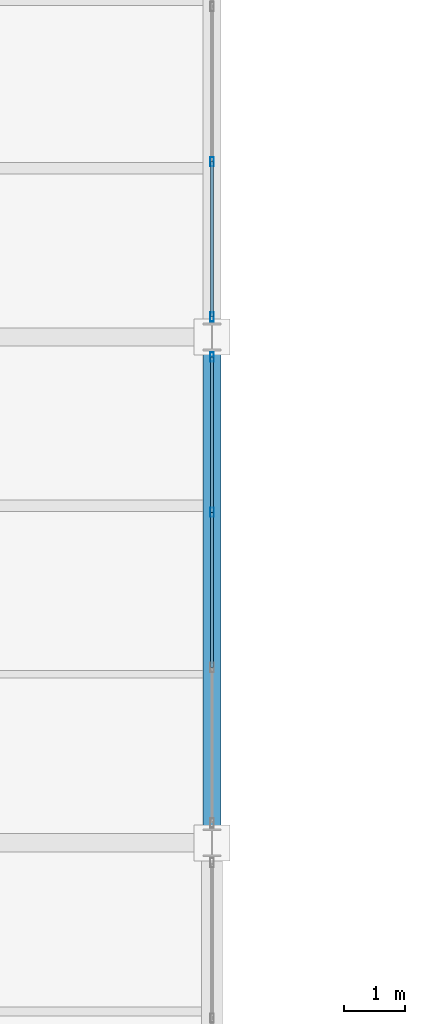
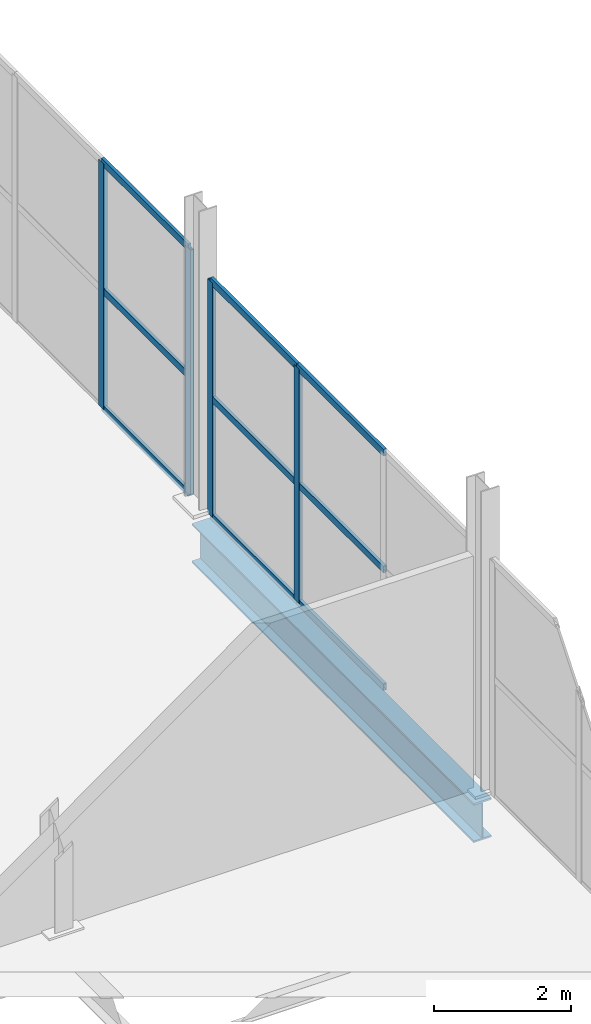
# One storey, part 83 of 147: 13 members, 1 beam, 2 elements without a shape of their own.
"""IFC4 building model written with IfcOpenShell, lengths in metres."""

from ifc_helpers import new_model, si_unit, direction, frame, origin, origin_2d, place, context, subcontext, project, spatial, hollow_rectangle, i_section, extrude, material, layer, layer_set, material_profile, profile_set, type_object, element, aggregate, save


model = new_model("IFC4")

# Units and contexts
model_context = context("Model", 3, precision=1e-05, world=origin(), true_north=direction((0.0, 1.0)))
body_context = subcontext(model_context, "Body", "Model", "MODEL_VIEW")
ifc_project = project(units=[si_unit("LENGTHUNIT", "METRE"), si_unit("AREAUNIT", "SQUARE_METRE"), si_unit("VOLUMEUNIT", "CUBIC_METRE"), si_unit("PLANEANGLEUNIT", "RADIAN"), si_unit("MASSUNIT", "GRAM", prefix="KILO")], contexts=[model_context])

# Site, building, storey
site_placement = place(None, origin())
site = spatial("IfcSite", under=ifc_project, at=site_placement, CompositionType="ELEMENT")
building_placement = place(site_placement, origin())
building = spatial("IfcBuilding", under=site, at=building_placement, Name="Sundgate Opera House", CompositionType="ELEMENT")
storey_placement = place(building_placement, frame((0.0, 0.0, 6.0)))
storey = spatial("IfcBuildingStorey", under=building, at=storey_placement, Name="L01", CompositionType="ELEMENT", Elevation=6.0)

# Beam
ifc_material_1 = material(Name="Steel S355J2", Category="steel")
ifc_material_profile_1 = material_profile(ifc_material_1, i_section(OverallWidth=0.300048828125, OverallDepth=0.699951171875, WebThickness=0.01708984375, FlangeThickness=0.031982421875, at=origin_2d()), Name="HEB 700")
ifc_profile_set_1 = profile_set([ifc_material_profile_1], Name="Steel S355J2")
beam_type = type_object("IfcBeamType", Name="BM-GR-HEB700", PredefinedType="BEAM", material=ifc_profile_set_1)
beam_placement = place(storey_placement, frame((160.199951171875, 8.25, -0.64990234375), z_axis=(0.0, 1.0, 0.0), x_axis=(-1.0, 0.0, 0.0)))
element("IfcBeam", 1, at=beam_placement, inside=storey, type_object=beam_type, Name="L01 Primary N-S Girder B1248", PredefinedType="BEAM", context=body_context, shape_type="SweptSolid", body=[
    extrude(i_section(OverallWidth=0.300048828125, OverallDepth=0.699951171875, WebThickness=0.01708984375, FlangeThickness=0.031982421875, at=origin_2d()), origin(), (0.0, 0.0, 1.0), 8.25),
])

# Curtain wall, members
ifc_material_2 = material(Name="Anodized aluminium and low-iron glass", Category="aluminium")
ifc_layer = layer(ifc_material_2, 0.14990234375)
ifc_layer_set = layer_set([ifc_layer], Name="Anodized aluminium and low-iron glass")
curtain_wall_type = type_object("IfcCurtainWallType", Name="CW-WORKSHOP-DARK", PredefinedType="NOTDEFINED", material=ifc_layer_set)
curtain_wall_1_placement = place(storey_placement, origin())
curtain_wall_1 = element("IfcCurtainWall", 2, at=curtain_wall_1_placement, inside=storey, type_object=curtain_wall_type, Name="L01 Curtain Wall CW149", PredefinedType="NOTDEFINED")
ifc_material_3 = material(Name="Anodized aluminium EN AW-6063", Category="aluminium")
ifc_material_profile_2 = material_profile(ifc_material_3, hollow_rectangle(XDim=0.06005859375, YDim=0.14990234375, WallThickness=0.00390625, at=origin_2d()), Name="CWM 150x60x4")
ifc_profile_set_2 = profile_set([ifc_material_profile_2], Name="Anodized aluminium EN AW-6063")
member_type_1 = type_object("IfcMemberType", Name="CWM-ALU-150x60", PredefinedType="MULLION", material=ifc_profile_set_2)
member_1_placement = place(storey_placement, frame((160.199951171875, 13.6416015625, 0.0), z_axis=(0.0, 0.0, 1.0), x_axis=(1.0, 0.0, 0.0)))
member_1 = element("IfcMember", 3, at=member_1_placement, type_object=member_type_1, Name="CW149 Mullion 3", PredefinedType="MULLION", context=body_context, shape_type="SweptSolid", body=[
    extrude(hollow_rectangle(XDim=0.06005859375, YDim=0.14990234375, WallThickness=0.00390625, at=origin_2d()), origin(), (0.0, 0.0, 1.0), 4.18505859375),
])
member_2_placement = place(storey_placement, frame((160.199951171875, 16.175048828125, 0.0), z_axis=(0.0, 0.0, 1.0), x_axis=(1.0, 0.0, 0.0)))
member_2 = element("IfcMember", 4, at=member_2_placement, type_object=member_type_1, Name="CW149 Mullion 4", PredefinedType="MULLION", context=body_context, shape_type="SweptSolid", body=[
    extrude(hollow_rectangle(XDim=0.06005859375, YDim=0.14990234375, WallThickness=0.00390625, at=origin_2d()), origin(), (0.0, 0.0, 1.0), 4.18505859375),
])

curtain_wall_2_placement = place(storey_placement, origin())
curtain_wall_2 = element("IfcCurtainWall", 5, at=curtain_wall_2_placement, inside=storey, type_object=curtain_wall_type, Name="L01 Curtain Wall CW150", PredefinedType="NOTDEFINED")
member_3_placement = place(storey_placement, frame((160.199951171875, 16.824951171875, 0.0), z_axis=(0.0, 0.0, 1.0), x_axis=(1.0, 0.0, 0.0)))
member_3 = element("IfcMember", 6, at=member_3_placement, type_object=member_type_1, Name="CW150 Mullion 1", PredefinedType="MULLION", context=body_context, shape_type="SweptSolid", body=[
    extrude(hollow_rectangle(XDim=0.06005859375, YDim=0.14990234375, WallThickness=0.00390625, at=origin_2d()), origin(), (0.0, 0.0, 1.0), 4.385009765625),
])
member_4_placement = place(storey_placement, frame((160.199951171875, 19.3583984375, 0.0), z_axis=(0.0, 0.0, 1.0), x_axis=(1.0, 0.0, 0.0)))
member_4 = element("IfcMember", 7, at=member_4_placement, type_object=member_type_1, Name="CW150 Mullion 2", PredefinedType="MULLION", context=body_context, shape_type="SweptSolid", body=[
    extrude(hollow_rectangle(XDim=0.06005859375, YDim=0.14990234375, WallThickness=0.00390625, at=origin_2d()), origin(), (0.0, 0.0, 1.0), 4.385009765625),
])

# Member
ifc_material_4 = material(Name="Anodized aluminium EN AW-6063", Category="aluminium")
ifc_material_profile_3 = material_profile(ifc_material_4, hollow_rectangle(XDim=0.054931640625, YDim=0.1201171875, WallThickness=0.00390625, at=origin_2d()), Name="CWT 120x55x4")
ifc_profile_set_3 = profile_set([ifc_material_profile_3], Name="Anodized aluminium EN AW-6063")
member_type_2 = type_object("IfcMemberType", Name="CWT-ALU-120x55", PredefinedType="USERDEFINED", material=ifc_profile_set_3)
member_5_placement = place(storey_placement, frame((160.199951171875, 11.1083984375, 0.0), z_axis=(0.0, 1.0, 0.0), x_axis=(-1.0, 0.0, 0.0)))
member_5 = element("IfcMember", 8, at=member_5_placement, type_object=member_type_2, Name="CW149 Transom 4", ObjectType="TRANSOM", PredefinedType="USERDEFINED", context=body_context, shape_type="SweptSolid", body=[
    extrude(hollow_rectangle(XDim=0.054931640625, YDim=0.1201171875, WallThickness=0.00390625, at=origin_2d()), origin(), (0.0, 0.0, 1.0), 2.533203125),
])

member_6_placement = place(storey_placement, frame((160.199951171875, 11.1083984375, 2.10009765625), z_axis=(0.0, 1.0, 0.0), x_axis=(-1.0, 0.0, 0.0)))
member_6 = element("IfcMember", 9, at=member_6_placement, type_object=member_type_2, Name="CW149 Transom 5", ObjectType="TRANSOM", PredefinedType="USERDEFINED", context=body_context, shape_type="SweptSolid", body=[
    extrude(hollow_rectangle(XDim=0.054931640625, YDim=0.1201171875, WallThickness=0.00390625, at=origin_2d()), origin(), (0.0, 0.0, 1.0), 2.533203125),
])

member_7_placement = place(storey_placement, frame((160.199951171875, 11.1083984375, 4.18505859375), z_axis=(0.0, 1.0, 0.0), x_axis=(-1.0, 0.0, 0.0)))
member_7 = element("IfcMember", 10, at=member_7_placement, type_object=member_type_2, Name="CW149 Transom 6", ObjectType="TRANSOM", PredefinedType="USERDEFINED", context=body_context, shape_type="SweptSolid", body=[
    extrude(hollow_rectangle(XDim=0.054931640625, YDim=0.1201171875, WallThickness=0.00390625, at=origin_2d()), origin(), (0.0, 0.0, 1.0), 2.533203125),
])

member_8_placement = place(storey_placement, frame((160.199951171875, 13.6416015625, 0.0), z_axis=(0.0, 1.0, 0.0), x_axis=(-1.0, 0.0, 0.0)))
member_8 = element("IfcMember", 11, at=member_8_placement, type_object=member_type_2, Name="CW149 Transom 7", ObjectType="TRANSOM", PredefinedType="USERDEFINED", context=body_context, shape_type="SweptSolid", body=[
    extrude(hollow_rectangle(XDim=0.054931640625, YDim=0.1201171875, WallThickness=0.00390625, at=origin_2d()), origin(), (0.0, 0.0, 1.0), 2.533447265625),
])

member_9_placement = place(storey_placement, frame((160.199951171875, 13.6416015625, 2.10009765625), z_axis=(0.0, 1.0, 0.0), x_axis=(-1.0, 0.0, 0.0)))
member_9 = element("IfcMember", 12, at=member_9_placement, type_object=member_type_2, Name="CW149 Transom 8", ObjectType="TRANSOM", PredefinedType="USERDEFINED", context=body_context, shape_type="SweptSolid", body=[
    extrude(hollow_rectangle(XDim=0.054931640625, YDim=0.1201171875, WallThickness=0.00390625, at=origin_2d()), origin(), (0.0, 0.0, 1.0), 2.533447265625),
])

member_10_placement = place(storey_placement, frame((160.199951171875, 13.6416015625, 4.18505859375), z_axis=(0.0, 1.0, 0.0), x_axis=(-1.0, 0.0, 0.0)))
member_10 = element("IfcMember", 13, at=member_10_placement, type_object=member_type_2, Name="CW149 Transom 9", ObjectType="TRANSOM", PredefinedType="USERDEFINED", context=body_context, shape_type="SweptSolid", body=[
    extrude(hollow_rectangle(XDim=0.054931640625, YDim=0.1201171875, WallThickness=0.00390625, at=origin_2d()), origin(), (0.0, 0.0, 1.0), 2.533447265625),
])

aggregate(curtain_wall_1, [member_1, member_2, member_5, member_6, member_7, member_8, member_9, member_10])

member_11_placement = place(storey_placement, frame((160.199951171875, 16.824951171875, 0.0), z_axis=(0.0, 1.0, 0.0), x_axis=(-1.0, 0.0, 0.0)))
member_11 = element("IfcMember", 14, at=member_11_placement, type_object=member_type_2, Name="CW150 Transom 1", ObjectType="TRANSOM", PredefinedType="USERDEFINED", context=body_context, shape_type="SweptSolid", body=[
    extrude(hollow_rectangle(XDim=0.054931640625, YDim=0.1201171875, WallThickness=0.00390625, at=origin_2d()), origin(), (0.0, 0.0, 1.0), 2.533447265625),
])

member_12_placement = place(storey_placement, frame((160.199951171875, 16.824951171875, 2.10009765625), z_axis=(0.0, 1.0, 0.0), x_axis=(-1.0, 0.0, 0.0)))
member_12 = element("IfcMember", 15, at=member_12_placement, type_object=member_type_2, Name="CW150 Transom 2", ObjectType="TRANSOM", PredefinedType="USERDEFINED", context=body_context, shape_type="SweptSolid", body=[
    extrude(hollow_rectangle(XDim=0.054931640625, YDim=0.1201171875, WallThickness=0.00390625, at=origin_2d()), origin(), (0.0, 0.0, 1.0), 2.533447265625),
])

member_13_placement = place(storey_placement, frame((160.199951171875, 16.824951171875, 4.385009765625), z_axis=(0.0, 1.0, 0.0), x_axis=(-1.0, 0.0, 0.0)))
member_13 = element("IfcMember", 16, at=member_13_placement, type_object=member_type_2, Name="CW150 Transom 3", ObjectType="TRANSOM", PredefinedType="USERDEFINED", context=body_context, shape_type="SweptSolid", body=[
    extrude(hollow_rectangle(XDim=0.054931640625, YDim=0.1201171875, WallThickness=0.00390625, at=origin_2d()), origin(), (0.0, 0.0, 1.0), 2.533447265625),
])

aggregate(curtain_wall_2, [member_3, member_4, member_11, member_12, member_13])

save(model, "model.ifc")
